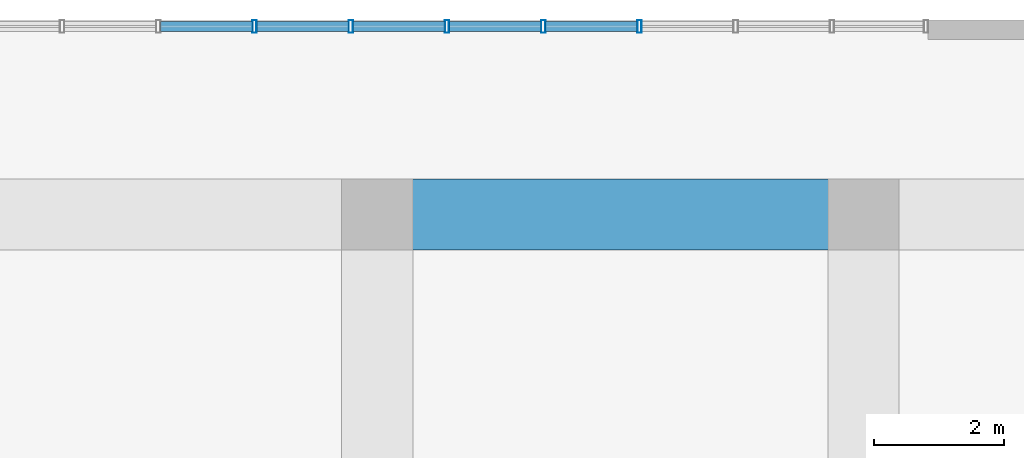
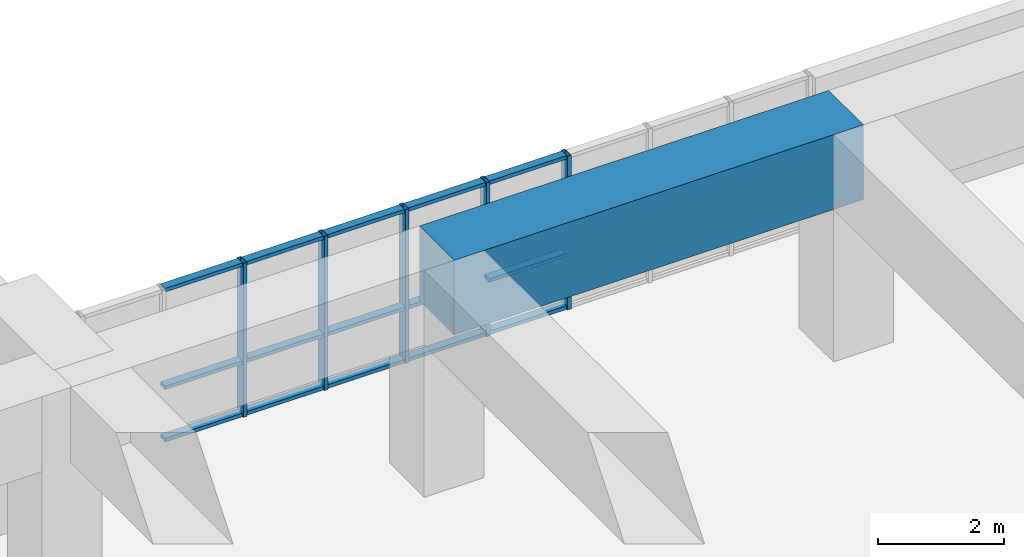
# One storey, part 14 of 28: 20 members, 1 beam, 1 element without a shape of its own.
"""IFC4 building model written with IfcOpenShell, lengths in metres."""

from ifc_helpers import new_model, si_unit, direction, frame, origin, origin_2d, place, context, subcontext, project, spatial, rectangle, hollow_rectangle, extrude, source, transform, mapped, material, layer, layer_set, material_profile, profile_set, type_object, element, aggregate, save


model = new_model("IFC4")

# Units and contexts
model_context = context("Model", 3, precision=1e-05, world=origin(), true_north=direction((0.0, 1.0)))
body_context = subcontext(model_context, "Body", "Model", "MODEL_VIEW")
ifc_project = project(units=[si_unit("LENGTHUNIT", "METRE"), si_unit("AREAUNIT", "SQUARE_METRE"), si_unit("VOLUMEUNIT", "CUBIC_METRE"), si_unit("PLANEANGLEUNIT", "RADIAN"), si_unit("MASSUNIT", "GRAM", prefix="KILO")], contexts=[model_context])

# Site, building, storey
site_placement = place(None, origin())
site = spatial("IfcSite", under=ifc_project, at=site_placement, CompositionType="ELEMENT")
building_placement = place(site_placement, origin())
building = spatial("IfcBuilding", under=site, at=building_placement, Name="Saelheon Loggia Tower", CompositionType="ELEMENT")
storey_placement = place(building_placement, frame((0.0, 0.0, 15.0)))
storey = spatial("IfcBuildingStorey", under=building, at=storey_placement, Name="L04", CompositionType="ELEMENT", Elevation=15.0)

# Beam
ifc_material_1 = material(Name="Concrete C50/60", Category="concrete")
ifc_material_profile_1 = material_profile(ifc_material_1, rectangle(XDim=1.10009765625, YDim=1.449951171875, at=origin_2d()), Name="RC-1100x1450")
ifc_profile_set_1 = profile_set([ifc_material_profile_1], Name="Concrete C50/60")
beam_type = type_object("IfcBeamType", Name="Beam_Transfer_RC1100x1450", PredefinedType="BEAM", material=ifc_profile_set_1)
shared_shape_1 = source(origin(), body_context, "Body", "SweptSolid", [
    extrude(rectangle(XDim=1.10009765625, YDim=1.449951171875, at=origin_2d()), origin(), (0.0, 0.0, 1.0), 7.5),
])
beam_placement = place(storey_placement, frame((51.5, 51.0, 3.675048828125), z_axis=(1.0, 0.0, 0.0), x_axis=(0.0, 1.0, 0.0)))
element("IfcBeam", 1, at=beam_placement, inside=storey, type_object=beam_type, Name="BM-L04-EW-51-8", PredefinedType="BEAM", context=body_context, shape_type="MappedRepresentation", body=[
    mapped(shared_shape_1, transform((0.0, 0.0, 0.0), scale=1.0)),
])

# Curtain wall, members
ifc_material_2 = material(Name="Aluminium 6063-T6 and Low-E IGU", Category="aluminium")
ifc_layer = layer(ifc_material_2, 0.179931640625)
ifc_layer_set = layer_set([ifc_layer], Name="Aluminium 6063-T6 and Low-E IGU")
curtain_wall_type = type_object("IfcCurtainWallType", Name="CW_PodiumClinic", PredefinedType="NOTDEFINED", material=ifc_layer_set)
curtain_wall_placement = place(storey_placement, origin())
curtain_wall = element("IfcCurtainWall", 2, at=curtain_wall_placement, inside=storey, type_object=curtain_wall_type, Name="L04 North Clinic Curtain Wall 3", PredefinedType="NOTDEFINED")
ifc_material_3 = material(Name="Anodised Aluminium 6063-T6", Category="aluminium")
ifc_material_profile_2 = material_profile(ifc_material_3, hollow_rectangle(XDim=0.070068359375, YDim=0.14990234375, WallThickness=0.0048828125, at=origin_2d()), Name="RHS-150x70x5")
ifc_profile_set_2 = profile_set([ifc_material_profile_2], Name="Anodised Aluminium 6063-T6")
member_type_1 = type_object("IfcMemberType", Name="CW_PodiumClinic_Transom", PredefinedType="USERDEFINED", material=ifc_profile_set_2)
shared_shape_2 = source(origin(), body_context, "Body", "SweptSolid", [
    extrude(hollow_rectangle(XDim=0.070068359375, YDim=0.14990234375, WallThickness=0.0048828125, at=origin_2d()), origin(), (0.0, 0.0, 1.0), 1.4150390625),
])
member_1_placement = place(storey_placement, frame((48.155029296875, 53.89990234375, 0.034912109375), z_axis=(1.0, 0.0, 0.0), x_axis=(0.0, 0.0, 1.0)))
member_1 = element("IfcMember", 3, at=member_1_placement, type_object=member_type_1, Name="CW1 transom 3.1", ObjectType="TRANSOM", PredefinedType="USERDEFINED", context=body_context, shape_type="MappedRepresentation", body=[
    mapped(shared_shape_2, transform((0.0, 0.0, 0.0), scale=1.0)),
])
member_2_placement = place(storey_placement, frame((48.155029296875, 53.89990234375, 1.050048828125), z_axis=(1.0, 0.0, 0.0), x_axis=(0.0, 0.0, 1.0)))
member_2 = element("IfcMember", 4, at=member_2_placement, type_object=member_type_1, Name="CW1 transom 3.2", ObjectType="TRANSOM", PredefinedType="USERDEFINED", context=body_context, shape_type="MappedRepresentation", body=[
    mapped(shared_shape_2, transform((0.0, 0.0, 0.0), scale=1.0)),
])
member_3_placement = place(storey_placement, frame((48.155029296875, 53.89990234375, 2.945068359375), z_axis=(1.0, 0.0, 0.0), x_axis=(0.0, 0.0, 1.0)))
member_3 = element("IfcMember", 5, at=member_3_placement, type_object=member_type_1, Name="CW1 transom 3.3", ObjectType="TRANSOM", PredefinedType="USERDEFINED", context=body_context, shape_type="MappedRepresentation", body=[
    mapped(shared_shape_2, transform((0.0, 0.0, 0.0), scale=1.0)),
])
member_4_placement = place(storey_placement, frame((49.639892578125, 53.89990234375, 0.034912109375), z_axis=(1.0, 0.0, 0.0), x_axis=(0.0, 0.0, 1.0)))
member_4 = element("IfcMember", 6, at=member_4_placement, type_object=member_type_1, Name="CW1 transom 4.1", ObjectType="TRANSOM", PredefinedType="USERDEFINED", context=body_context, shape_type="MappedRepresentation", body=[
    mapped(shared_shape_2, transform((0.0, 0.0, 0.0), scale=1.0)),
])
member_5_placement = place(storey_placement, frame((49.639892578125, 53.89990234375, 1.050048828125), z_axis=(1.0, 0.0, 0.0), x_axis=(0.0, 0.0, 1.0)))
member_5 = element("IfcMember", 7, at=member_5_placement, type_object=member_type_1, Name="CW1 transom 4.2", ObjectType="TRANSOM", PredefinedType="USERDEFINED", context=body_context, shape_type="MappedRepresentation", body=[
    mapped(shared_shape_2, transform((0.0, 0.0, 0.0), scale=1.0)),
])
member_6_placement = place(storey_placement, frame((49.639892578125, 53.89990234375, 2.945068359375), z_axis=(1.0, 0.0, 0.0), x_axis=(0.0, 0.0, 1.0)))
member_6 = element("IfcMember", 8, at=member_6_placement, type_object=member_type_1, Name="CW1 transom 4.3", ObjectType="TRANSOM", PredefinedType="USERDEFINED", context=body_context, shape_type="MappedRepresentation", body=[
    mapped(shared_shape_2, transform((0.0, 0.0, 0.0), scale=1.0)),
])
member_7_placement = place(storey_placement, frame((51.125, 53.89990234375, 0.034912109375), z_axis=(1.0, 0.0, 0.0), x_axis=(0.0, 0.0, 1.0)))
member_7 = element("IfcMember", 9, at=member_7_placement, type_object=member_type_1, Name="CW1 transom 5.1", ObjectType="TRANSOM", PredefinedType="USERDEFINED", context=body_context, shape_type="MappedRepresentation", body=[
    mapped(shared_shape_2, transform((0.0, 0.0, 0.0), scale=1.0)),
])
member_8_placement = place(storey_placement, frame((51.125, 53.89990234375, 1.050048828125), z_axis=(1.0, 0.0, 0.0), x_axis=(0.0, 0.0, 1.0)))
member_8 = element("IfcMember", 10, at=member_8_placement, type_object=member_type_1, Name="CW1 transom 5.2", ObjectType="TRANSOM", PredefinedType="USERDEFINED", context=body_context, shape_type="MappedRepresentation", body=[
    mapped(shared_shape_2, transform((0.0, 0.0, 0.0), scale=1.0)),
])
member_9_placement = place(storey_placement, frame((51.125, 53.89990234375, 2.945068359375), z_axis=(1.0, 0.0, 0.0), x_axis=(0.0, 0.0, 1.0)))
member_9 = element("IfcMember", 11, at=member_9_placement, type_object=member_type_1, Name="CW1 transom 5.3", ObjectType="TRANSOM", PredefinedType="USERDEFINED", context=body_context, shape_type="MappedRepresentation", body=[
    mapped(shared_shape_2, transform((0.0, 0.0, 0.0), scale=1.0)),
])
member_10_placement = place(storey_placement, frame((54.094970703125, 53.89990234375, 0.034912109375), z_axis=(1.0, 0.0, 0.0), x_axis=(0.0, 0.0, 1.0)))
member_10 = element("IfcMember", 12, at=member_10_placement, type_object=member_type_1, Name="CW1 transom 7.1", ObjectType="TRANSOM", PredefinedType="USERDEFINED", context=body_context, shape_type="MappedRepresentation", body=[
    mapped(shared_shape_2, transform((0.0, 0.0, 0.0), scale=1.0)),
])
member_11_placement = place(storey_placement, frame((54.094970703125, 53.89990234375, 1.050048828125), z_axis=(1.0, 0.0, 0.0), x_axis=(0.0, 0.0, 1.0)))
member_11 = element("IfcMember", 13, at=member_11_placement, type_object=member_type_1, Name="CW1 transom 7.2", ObjectType="TRANSOM", PredefinedType="USERDEFINED", context=body_context, shape_type="MappedRepresentation", body=[
    mapped(shared_shape_2, transform((0.0, 0.0, 0.0), scale=1.0)),
])
member_12_placement = place(storey_placement, frame((54.094970703125, 53.89990234375, 2.945068359375), z_axis=(1.0, 0.0, 0.0), x_axis=(0.0, 0.0, 1.0)))
member_12 = element("IfcMember", 14, at=member_12_placement, type_object=member_type_1, Name="CW1 transom 7.3", ObjectType="TRANSOM", PredefinedType="USERDEFINED", context=body_context, shape_type="MappedRepresentation", body=[
    mapped(shared_shape_2, transform((0.0, 0.0, 0.0), scale=1.0)),
])
shared_shape_3 = source(origin(), body_context, "Body", "SweptSolid", [
    extrude(hollow_rectangle(XDim=0.070068359375, YDim=0.14990234375, WallThickness=0.0048828125, at=origin_2d()), origin(), (0.0, 0.0, 1.0), 1.414794921875),
])
member_13_placement = place(storey_placement, frame((52.610107421875, 53.89990234375, 0.034912109375), z_axis=(1.0, 0.0, 0.0), x_axis=(0.0, 0.0, 1.0)))
member_13 = element("IfcMember", 15, at=member_13_placement, type_object=member_type_1, Name="CW1 transom 6.1", ObjectType="TRANSOM", PredefinedType="USERDEFINED", context=body_context, shape_type="MappedRepresentation", body=[
    mapped(shared_shape_3, transform((0.0, 0.0, 0.0), scale=1.0)),
])
member_14_placement = place(storey_placement, frame((52.610107421875, 53.89990234375, 1.050048828125), z_axis=(1.0, 0.0, 0.0), x_axis=(0.0, 0.0, 1.0)))
member_14 = element("IfcMember", 16, at=member_14_placement, type_object=member_type_1, Name="CW1 transom 6.2", ObjectType="TRANSOM", PredefinedType="USERDEFINED", context=body_context, shape_type="MappedRepresentation", body=[
    mapped(shared_shape_3, transform((0.0, 0.0, 0.0), scale=1.0)),
])
member_15_placement = place(storey_placement, frame((52.610107421875, 53.89990234375, 2.945068359375), z_axis=(1.0, 0.0, 0.0), x_axis=(0.0, 0.0, 1.0)))
member_15 = element("IfcMember", 17, at=member_15_placement, type_object=member_type_1, Name="CW1 transom 6.3", ObjectType="TRANSOM", PredefinedType="USERDEFINED", context=body_context, shape_type="MappedRepresentation", body=[
    mapped(shared_shape_3, transform((0.0, 0.0, 0.0), scale=1.0)),
])
ifc_material_profile_3 = material_profile(ifc_material_3, hollow_rectangle(XDim=0.070068359375, YDim=0.199951171875, WallThickness=0.0048828125, at=origin_2d()), Name="RHS-200x70x5")
ifc_profile_set_3 = profile_set([ifc_material_profile_3], Name="Anodised Aluminium 6063-T6")
member_type_2 = type_object("IfcMemberType", Name="CW_PodiumClinic_Mullion", PredefinedType="MULLION", material=ifc_profile_set_3)
shared_shape_4 = source(origin(), body_context, "Body", "SweptSolid", [
    extrude(hollow_rectangle(XDim=0.070068359375, YDim=0.199951171875, WallThickness=0.0048828125, at=origin_2d()), origin(), (0.0, 0.0, 1.0), 2.97998046875),
])
member_16_placement = place(storey_placement, frame((49.60498046875, 53.89990234375, 0.0), z_axis=(0.0, 0.0, 1.0), x_axis=(1.0, 0.0, 0.0)))
member_16 = element("IfcMember", 18, at=member_16_placement, type_object=member_type_2, Name="CW1 mullion 4", PredefinedType="MULLION", context=body_context, shape_type="MappedRepresentation", body=[
    mapped(shared_shape_4, transform((0.0, 0.0, 0.0), scale=1.0)),
])
member_17_placement = place(storey_placement, frame((51.090087890625, 53.89990234375, 0.0), z_axis=(0.0, 0.0, 1.0), x_axis=(1.0, 0.0, 0.0)))
member_17 = element("IfcMember", 19, at=member_17_placement, type_object=member_type_2, Name="CW1 mullion 5", PredefinedType="MULLION", context=body_context, shape_type="MappedRepresentation", body=[
    mapped(shared_shape_4, transform((0.0, 0.0, 0.0), scale=1.0)),
])
member_18_placement = place(storey_placement, frame((52.574951171875, 53.89990234375, 0.0), z_axis=(0.0, 0.0, 1.0), x_axis=(1.0, 0.0, 0.0)))
member_18 = element("IfcMember", 20, at=member_18_placement, type_object=member_type_2, Name="CW1 mullion 6", PredefinedType="MULLION", context=body_context, shape_type="MappedRepresentation", body=[
    mapped(shared_shape_4, transform((0.0, 0.0, 0.0), scale=1.0)),
])
member_19_placement = place(storey_placement, frame((54.06005859375, 53.89990234375, 0.0), z_axis=(0.0, 0.0, 1.0), x_axis=(1.0, 0.0, 0.0)))
member_19 = element("IfcMember", 21, at=member_19_placement, type_object=member_type_2, Name="CW1 mullion 7", PredefinedType="MULLION", context=body_context, shape_type="MappedRepresentation", body=[
    mapped(shared_shape_4, transform((0.0, 0.0, 0.0), scale=1.0)),
])
member_20_placement = place(storey_placement, frame((55.544921875, 53.89990234375, 0.0), z_axis=(0.0, 0.0, 1.0), x_axis=(1.0, 0.0, 0.0)))
member_20 = element("IfcMember", 22, at=member_20_placement, type_object=member_type_2, Name="CW1 mullion 8", PredefinedType="MULLION", context=body_context, shape_type="MappedRepresentation", body=[
    mapped(shared_shape_4, transform((0.0, 0.0, 0.0), scale=1.0)),
])
aggregate(curtain_wall, [member_16, member_17, member_18, member_19, member_20, member_1, member_2, member_3, member_4, member_5, member_6, member_7, member_8, member_9, member_13, member_14, member_15, member_10, member_11, member_12])

save(model, "model.ifc")
